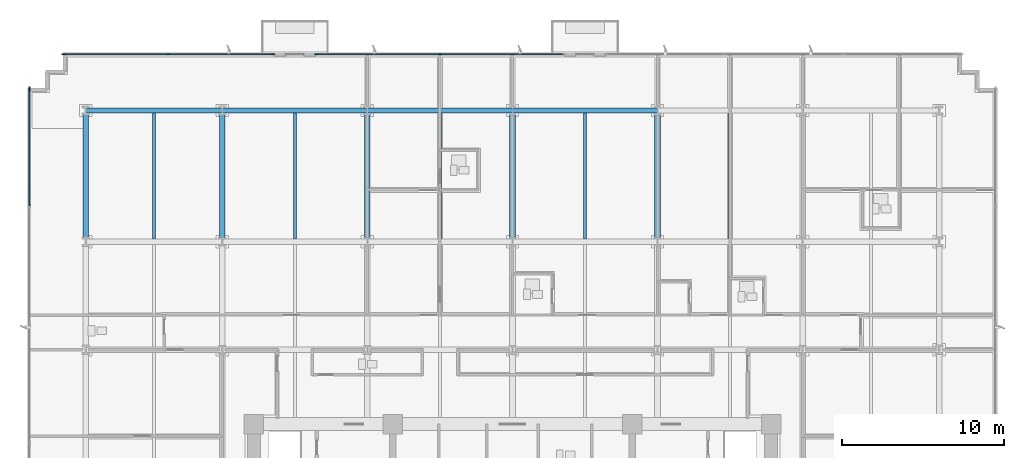
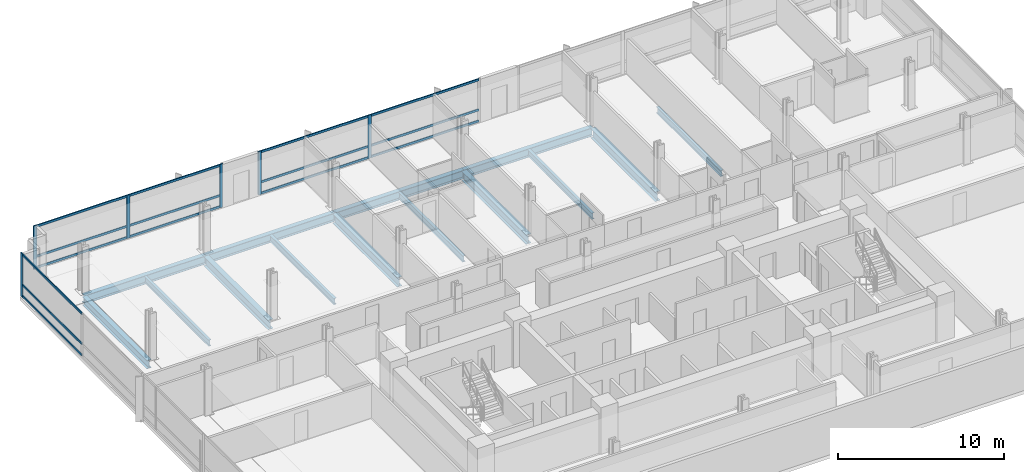
# One storey, part 5 of 17: 21 members, 14 beams, 3 elements without a shape of their own.
"""IFC4 building model written with IfcOpenShell, lengths in metres."""

from ifc_helpers import new_model, si_unit, direction, frame, origin, origin_2d, place, context, subcontext, project, spatial, rectangle, i_section, extrude, material, material_profile, profile_set, type_object, element, aggregate, save


model = new_model("IFC4")

# Units and contexts
model_context = context("Model", 3, precision=1e-05, world=origin(), true_north=direction((0.0, 1.0)))
body_context = subcontext(model_context, "Body", "Model", "MODEL_VIEW")
ifc_project = project(units=[si_unit("LENGTHUNIT", "METRE"), si_unit("AREAUNIT", "SQUARE_METRE"), si_unit("VOLUMEUNIT", "CUBIC_METRE"), si_unit("PLANEANGLEUNIT", "RADIAN"), si_unit("MASSUNIT", "GRAM", prefix="KILO")], contexts=[model_context])

# Site, building, storey
site_placement = place(None, origin())
site = spatial("IfcSite", under=ifc_project, at=site_placement, CompositionType="ELEMENT")
building_placement = place(site_placement, origin())
building = spatial("IfcBuilding", under=site, at=building_placement, Name="Solmavex Isthmus Hotel", CompositionType="ELEMENT")
storey_placement = place(building_placement, frame((0.0, 0.0, 40.199951171875)))
storey = spatial("IfcBuildingStorey", under=building, at=storey_placement, Name="L10", CompositionType="ELEMENT", Elevation=40.199951171875)

# Beams
ifc_material_1 = material(Name="Steel ASTM A992 Grade 50", Category="steel")
ifc_material_profile_1 = material_profile(ifc_material_1, i_section(OverallWidth=0.354736328125, OverallDepth=0.695556640625, WebThickness=0.015380859375, FlangeThickness=0.02490234375, FilletRadius=0.017822265625, at=origin_2d()), Name="W27X146")
ifc_profile_set_1 = profile_set([ifc_material_profile_1], Name="Steel ASTM A992 Grade 50")
beam_type_1 = type_object("IfcBeamType", Name="BM-BG-W27X146", PredefinedType="BEAM", material=ifc_profile_set_1)
for number, where, z_axis, x_axis, name in (
    (1, (-17.951904296875, 8.96533203125, -0.607666015625), (0.0, 1.0, 0.0), (-1.0, 0.0, 0.0), "Floor Beam L10-VG30"),
    (2, (-8.97607421875, 8.96533203125, -0.607666015625), (0.0, 1.0, 0.0), (-1.0, 0.0, 0.0), "Floor Beam L10-VG34"),
    (3, (0.0, 8.96533203125, -0.607666015625), (0.0, 1.0, 0.0), (-1.0, 0.0, 0.0), "Floor Beam L10-VG38"),
    (4, (8.97607421875, 8.96533203125, -0.607666015625), (0.0, 1.0, 0.0), (-1.0, 0.0, 0.0), "Floor Beam L10-VG42"),
):
    element("IfcBeam", number, at=place(storey_placement, frame(where, z_axis=z_axis, x_axis=x_axis)), inside=storey, type_object=beam_type_1, Name=name, PredefinedType="BEAM", context=body_context, shape_type="SweptSolid", body=[
        extrude(i_section(OverallWidth=0.354736328125, OverallDepth=0.695556640625, WebThickness=0.015380859375, FlangeThickness=0.02490234375, FilletRadius=0.017822265625, at=origin_2d()), origin(), (0.0, 0.0, 1.0), 7.771484375),
    ])
ifc_material_profile_2 = material_profile(ifc_material_1, i_section(OverallWidth=0.1904296875, OverallDepth=0.456787109375, WebThickness=0.009033203125, FlangeThickness=0.014404296875, FilletRadius=0.0126953125, at=origin_2d()), Name="W18X50")
ifc_profile_set_2 = profile_set([ifc_material_profile_2], Name="Steel ASTM A992 Grade 50")
beam_type_2 = type_object("IfcBeamType", Name="BM-BJ-W18X50", PredefinedType="JOIST", material=ifc_profile_set_2)
for number, where, z_axis, x_axis, name in (
    (5, (-22.176025390625, 8.96533203125, -0.48828125), (0.0, 1.0, 0.0), (-1.0, 0.0, 0.0), "Secondary Floor Joist L10-J03"),
    (6, (-13.464111328125, 8.96533203125, -0.48828125), (0.0, 1.0, 0.0), (-1.0, 0.0, 0.0), "Secondary Floor Joist L10-J07"),
    (7, (-4.488037109375, 8.96533203125, -0.48828125), (0.0, 1.0, 0.0), (-1.0, 0.0, 0.0), "Secondary Floor Joist L10-J11"),
    (8, (4.488037109375, 8.96533203125, -0.48828125), (0.0, 1.0, 0.0), (-1.0, 0.0, 0.0), "Secondary Floor Joist L10-J15"),
    (9, (13.464111328125, 8.96533203125, -0.48828125), (0.0, 1.0, 0.0), (-1.0, 0.0, 0.0), "Secondary Floor Joist L10-J19"),
):
    element("IfcBeam", number, at=place(storey_placement, frame(where, z_axis=z_axis, x_axis=x_axis)), inside=storey, type_object=beam_type_2, Name=name, PredefinedType="JOIST", context=body_context, shape_type="SweptSolid", body=[
        extrude(i_section(OverallWidth=0.1904296875, OverallDepth=0.456787109375, WebThickness=0.009033203125, FlangeThickness=0.014404296875, FilletRadius=0.0126953125, at=origin_2d()), origin(), (0.0, 0.0, 1.0), 7.771484375),
    ])
ifc_material_profile_3 = material_profile(ifc_material_1, i_section(OverallWidth=0.326416015625, OverallDepth=0.621826171875, WebThickness=0.015380859375, FlangeThickness=0.0244140625, FilletRadius=0.01513671875, at=origin_2d()), Name="W24X131")
ifc_profile_set_3 = profile_set([ifc_material_profile_3], Name="Steel ASTM A992 Grade 50")
beam_type_3 = type_object("IfcBeamType", Name="BM-SP-W24X131", PredefinedType="SPANDREL", material=ifc_profile_set_3)
beam_1_placement = place(storey_placement, frame((-26.39990234375, 16.89990234375, -0.57080078125), z_axis=(1.0, 0.0, 0.0), x_axis=(0.0, 1.0, 0.0)))
element("IfcBeam", 10, at=beam_1_placement, inside=storey, type_object=beam_type_3, Name="Floor Girder L10-UG19", PredefinedType="SPANDREL", context=body_context, shape_type="SweptSolid", body=[
    extrude(i_section(OverallWidth=0.326416015625, OverallDepth=0.621826171875, WebThickness=0.015380859375, FlangeThickness=0.0244140625, FilletRadius=0.01513671875, at=origin_2d()), origin(), (0.0, 0.0, 1.0), 8.447998046875),
])
beam_2_placement = place(storey_placement, frame((-17.951904296875, 16.89990234375, -0.57080078125), z_axis=(1.0, 0.0, 0.0), x_axis=(0.0, 1.0, 0.0)))
element("IfcBeam", 11, at=beam_2_placement, inside=storey, type_object=beam_type_3, Name="Floor Girder L10-UG20", PredefinedType="SPANDREL", context=body_context, shape_type="SweptSolid", body=[
    extrude(i_section(OverallWidth=0.326416015625, OverallDepth=0.621826171875, WebThickness=0.015380859375, FlangeThickness=0.0244140625, FilletRadius=0.01513671875, at=origin_2d()), origin(), (0.0, 0.0, 1.0), 8.975830078125),
])
for number, where, z_axis, x_axis, name in (
    (12, (-8.97607421875, 16.89990234375, -0.57080078125), (1.0, 0.0, 0.0), (0.0, 1.0, 0.0), "Floor Girder L10-UG21"),
    (13, (0.0, 16.89990234375, -0.57080078125), (1.0, 0.0, 0.0), (0.0, 1.0, 0.0), "Floor Girder L10-UG22"),
):
    element("IfcBeam", number, at=place(storey_placement, frame(where, z_axis=z_axis, x_axis=x_axis)), inside=storey, type_object=beam_type_3, Name=name, PredefinedType="SPANDREL", context=body_context, shape_type="SweptSolid", body=[
        extrude(i_section(OverallWidth=0.326416015625, OverallDepth=0.621826171875, WebThickness=0.015380859375, FlangeThickness=0.0244140625, FilletRadius=0.01513671875, at=origin_2d()), origin(), (0.0, 0.0, 1.0), 8.97607421875),
    ])
beam_3_placement = place(storey_placement, frame((-26.39990234375, 8.96533203125, -0.57080078125), z_axis=(0.0, 1.0, 0.0), x_axis=(-1.0, 0.0, 0.0)))
element("IfcBeam", 14, at=beam_3_placement, inside=storey, type_object=beam_type_3, Name="Floor Beam L10-VG27", PredefinedType="SPANDREL", context=body_context, shape_type="SweptSolid", body=[
    extrude(i_section(OverallWidth=0.326416015625, OverallDepth=0.621826171875, WebThickness=0.015380859375, FlangeThickness=0.0244140625, FilletRadius=0.01513671875, at=origin_2d()), origin(), (0.0, 0.0, 1.0), 7.771484375),
])

# Curtain wall, members
ifc_material_2 = material(Name="Aluminium alloy 6063-T6", Category="aluminium")
curtain_wall_type = type_object("IfcCurtainWallType", Name="CW-SYS-02", PredefinedType="NOTDEFINED", material=ifc_material_2)
curtain_wall_1_placement = place(storey_placement, origin())
curtain_wall_1 = element("IfcCurtainWall", 15, at=curtain_wall_1_placement, inside=storey, type_object=curtain_wall_type, Name="Stick Curtain Wall CWL-L10-N1", PredefinedType="NOTDEFINED")
ifc_material_profile_4 = material_profile(ifc_material_2, rectangle(XDim=0.074951171875, YDim=0.219970703125, at=origin_2d()), Name="CWM-75X220")
ifc_profile_set_4 = profile_set([ifc_material_profile_4], Name="Aluminium alloy 6063-T6")
member_type_1 = type_object("IfcMemberType", Name="CW-SYS-02-MUL", PredefinedType="MULLION", material=ifc_profile_set_4)
member_1_placement = place(storey_placement, frame((-27.762451171875, 20.3798828125, 0.0), z_axis=(0.0, 0.0, 1.0), x_axis=(0.0, 1.0, 0.0)))
member_1 = element("IfcMember", 16, at=member_1_placement, type_object=member_type_1, Name="CW-02 mullion 1", PredefinedType="MULLION", context=body_context, shape_type="SweptSolid", body=[
    extrude(rectangle(XDim=0.074951171875, YDim=0.219970703125, at=origin_2d()), origin(), (0.0, 0.0, 1.0), 3.18994140625),
])
member_2_placement = place(storey_placement, frame((-21.281982421875, 20.3798828125, 0.0), z_axis=(0.0, 0.0, 1.0), x_axis=(0.0, 1.0, 0.0)))
member_2 = element("IfcMember", 17, at=member_2_placement, type_object=member_type_1, Name="CW-02 mullion 2", PredefinedType="MULLION", context=body_context, shape_type="SweptSolid", body=[
    extrude(rectangle(XDim=0.074951171875, YDim=0.219970703125, at=origin_2d()), origin(), (0.0, 0.0, 1.0), 3.18994140625),
])
member_3_placement = place(storey_placement, frame((-14.801513671875, 20.3798828125, 0.0), z_axis=(0.0, 0.0, 1.0), x_axis=(0.0, 1.0, 0.0)))
member_3 = element("IfcMember", 18, at=member_3_placement, type_object=member_type_1, Name="CW-02 mullion 3", PredefinedType="MULLION", context=body_context, shape_type="SweptSolid", body=[
    extrude(rectangle(XDim=0.074951171875, YDim=0.219970703125, at=origin_2d()), origin(), (0.0, 0.0, 1.0), 3.18994140625),
])

curtain_wall_2_placement = place(storey_placement, origin())
curtain_wall_2 = element("IfcCurtainWall", 19, at=curtain_wall_2_placement, inside=storey, type_object=curtain_wall_type, Name="Stick Curtain Wall CWL-L10-N2", PredefinedType="NOTDEFINED")
member_4_placement = place(storey_placement, frame((-12.12646484375, 20.3798828125, 0.0), z_axis=(0.0, 0.0, 1.0), x_axis=(0.0, 1.0, 0.0)))
member_4 = element("IfcMember", 20, at=member_4_placement, type_object=member_type_1, Name="CW-02 mullion 1", PredefinedType="MULLION", context=body_context, shape_type="SweptSolid", body=[
    extrude(rectangle(XDim=0.074951171875, YDim=0.219970703125, at=origin_2d()), origin(), (0.0, 0.0, 1.0), 3.18994140625),
])
member_5_placement = place(storey_placement, frame((-4.488037109375, 20.3798828125, 0.0), z_axis=(0.0, 0.0, 1.0), x_axis=(0.0, 1.0, 0.0)))
member_5 = element("IfcMember", 21, at=member_5_placement, type_object=member_type_1, Name="CW-02 mullion 2", PredefinedType="MULLION", context=body_context, shape_type="SweptSolid", body=[
    extrude(rectangle(XDim=0.074951171875, YDim=0.219970703125, at=origin_2d()), origin(), (0.0, 0.0, 1.0), 3.18994140625),
])

# Curtain wall, member
curtain_wall_3_placement = place(storey_placement, origin())
curtain_wall_3 = element("IfcCurtainWall", 22, at=curtain_wall_3_placement, inside=storey, type_object=curtain_wall_type, Name="Stick Curtain Wall CWL-L10-W1", PredefinedType="NOTDEFINED")
member_6_placement = place(storey_placement, frame((-29.8798828125, 18.262451171875, 0.0), z_axis=(0.0, 0.0, 1.0), x_axis=(-1.0, 0.0, 0.0)))
member_6 = element("IfcMember", 23, at=member_6_placement, type_object=member_type_1, Name="CW-02 mullion 6", PredefinedType="MULLION", context=body_context, shape_type="SweptSolid", body=[
    extrude(rectangle(XDim=0.074951171875, YDim=0.219970703125, at=origin_2d()), origin(), (0.0, 0.0, 1.0), 3.18994140625),
])

# Member
ifc_material_profile_5 = material_profile(ifc_material_2, rectangle(XDim=0.074951171875, YDim=0.159912109375, at=origin_2d()), Name="CWT-75X160")
ifc_profile_set_5 = profile_set([ifc_material_profile_5], Name="Aluminium alloy 6063-T6")
member_type_2 = type_object("IfcMemberType", Name="CW-SYS-02-TRN", PredefinedType="USERDEFINED", material=ifc_profile_set_5)
member_7_placement = place(storey_placement, frame((-27.72509765625, 20.3798828125, 0.080078125), z_axis=(1.0, 0.0, 0.0), x_axis=(0.0, 1.0, 0.0)))
member_7 = element("IfcMember", 24, at=member_7_placement, type_object=member_type_2, Name="CW-02 transom 1.1", ObjectType="TRANSOM", PredefinedType="USERDEFINED", context=body_context, shape_type="SweptSolid", body=[
    extrude(rectangle(XDim=0.074951171875, YDim=0.159912109375, at=origin_2d()), origin(), (0.0, 0.0, 1.0), 6.405517578125),
])

member_8_placement = place(storey_placement, frame((-27.72509765625, 20.3798828125, 0.900146484375), z_axis=(1.0, 0.0, 0.0), x_axis=(0.0, 1.0, 0.0)))
member_8 = element("IfcMember", 25, at=member_8_placement, type_object=member_type_2, Name="CW-02 transom 1.2", ObjectType="TRANSOM", PredefinedType="USERDEFINED", context=body_context, shape_type="SweptSolid", body=[
    extrude(rectangle(XDim=0.074951171875, YDim=0.159912109375, at=origin_2d()), origin(), (0.0, 0.0, 1.0), 6.405517578125),
])

member_9_placement = place(storey_placement, frame((-27.72509765625, 20.3798828125, 3.110107421875), z_axis=(1.0, 0.0, 0.0), x_axis=(0.0, 1.0, 0.0)))
member_9 = element("IfcMember", 26, at=member_9_placement, type_object=member_type_2, Name="CW-02 transom 1.3", ObjectType="TRANSOM", PredefinedType="USERDEFINED", context=body_context, shape_type="SweptSolid", body=[
    extrude(rectangle(XDim=0.074951171875, YDim=0.159912109375, at=origin_2d()), origin(), (0.0, 0.0, 1.0), 6.405517578125),
])

member_10_placement = place(storey_placement, frame((-21.244384765625, 20.3798828125, 0.080078125), z_axis=(1.0, 0.0, 0.0), x_axis=(0.0, 1.0, 0.0)))
member_10 = element("IfcMember", 27, at=member_10_placement, type_object=member_type_2, Name="CW-02 transom 2.1", ObjectType="TRANSOM", PredefinedType="USERDEFINED", context=body_context, shape_type="SweptSolid", body=[
    extrude(rectangle(XDim=0.074951171875, YDim=0.159912109375, at=origin_2d()), origin(), (0.0, 0.0, 1.0), 6.4052734375),
])

member_11_placement = place(storey_placement, frame((-21.244384765625, 20.3798828125, 0.900146484375), z_axis=(1.0, 0.0, 0.0), x_axis=(0.0, 1.0, 0.0)))
member_11 = element("IfcMember", 28, at=member_11_placement, type_object=member_type_2, Name="CW-02 transom 2.2", ObjectType="TRANSOM", PredefinedType="USERDEFINED", context=body_context, shape_type="SweptSolid", body=[
    extrude(rectangle(XDim=0.074951171875, YDim=0.159912109375, at=origin_2d()), origin(), (0.0, 0.0, 1.0), 6.4052734375),
])

member_12_placement = place(storey_placement, frame((-21.244384765625, 20.3798828125, 3.110107421875), z_axis=(1.0, 0.0, 0.0), x_axis=(0.0, 1.0, 0.0)))
member_12 = element("IfcMember", 29, at=member_12_placement, type_object=member_type_2, Name="CW-02 transom 2.3", ObjectType="TRANSOM", PredefinedType="USERDEFINED", context=body_context, shape_type="SweptSolid", body=[
    extrude(rectangle(XDim=0.074951171875, YDim=0.159912109375, at=origin_2d()), origin(), (0.0, 0.0, 1.0), 6.4052734375),
])

aggregate(curtain_wall_1, [member_1, member_2, member_3, member_7, member_8, member_9, member_10, member_11, member_12])

member_13_placement = place(storey_placement, frame((-12.089111328125, 20.3798828125, 0.080078125), z_axis=(1.0, 0.0, 0.0), x_axis=(0.0, 1.0, 0.0)))
member_13 = element("IfcMember", 30, at=member_13_placement, type_object=member_type_2, Name="CW-02 transom 1.1", ObjectType="TRANSOM", PredefinedType="USERDEFINED", context=body_context, shape_type="SweptSolid", body=[
    extrude(rectangle(XDim=0.074951171875, YDim=0.159912109375, at=origin_2d()), origin(), (0.0, 0.0, 1.0), 7.563720703125),
])

member_14_placement = place(storey_placement, frame((-12.089111328125, 20.3798828125, 0.900146484375), z_axis=(1.0, 0.0, 0.0), x_axis=(0.0, 1.0, 0.0)))
member_14 = element("IfcMember", 31, at=member_14_placement, type_object=member_type_2, Name="CW-02 transom 1.2", ObjectType="TRANSOM", PredefinedType="USERDEFINED", context=body_context, shape_type="SweptSolid", body=[
    extrude(rectangle(XDim=0.074951171875, YDim=0.159912109375, at=origin_2d()), origin(), (0.0, 0.0, 1.0), 7.563720703125),
])

member_15_placement = place(storey_placement, frame((-12.089111328125, 20.3798828125, 3.110107421875), z_axis=(1.0, 0.0, 0.0), x_axis=(0.0, 1.0, 0.0)))
member_15 = element("IfcMember", 32, at=member_15_placement, type_object=member_type_2, Name="CW-02 transom 1.3", ObjectType="TRANSOM", PredefinedType="USERDEFINED", context=body_context, shape_type="SweptSolid", body=[
    extrude(rectangle(XDim=0.074951171875, YDim=0.159912109375, at=origin_2d()), origin(), (0.0, 0.0, 1.0), 7.563720703125),
])

member_16_placement = place(storey_placement, frame((-4.450439453125, 20.3798828125, 0.080078125), z_axis=(1.0, 0.0, 0.0), x_axis=(0.0, 1.0, 0.0)))
member_16 = element("IfcMember", 33, at=member_16_placement, type_object=member_type_2, Name="CW-02 transom 2.1", ObjectType="TRANSOM", PredefinedType="USERDEFINED", context=body_context, shape_type="SweptSolid", body=[
    extrude(rectangle(XDim=0.074951171875, YDim=0.159912109375, at=origin_2d()), origin(), (0.0, 0.0, 1.0), 7.5634765625),
])

member_17_placement = place(storey_placement, frame((-4.450439453125, 20.3798828125, 0.900146484375), z_axis=(1.0, 0.0, 0.0), x_axis=(0.0, 1.0, 0.0)))
member_17 = element("IfcMember", 34, at=member_17_placement, type_object=member_type_2, Name="CW-02 transom 2.2", ObjectType="TRANSOM", PredefinedType="USERDEFINED", context=body_context, shape_type="SweptSolid", body=[
    extrude(rectangle(XDim=0.074951171875, YDim=0.159912109375, at=origin_2d()), origin(), (0.0, 0.0, 1.0), 7.5634765625),
])

member_18_placement = place(storey_placement, frame((-4.450439453125, 20.3798828125, 3.110107421875), z_axis=(1.0, 0.0, 0.0), x_axis=(0.0, 1.0, 0.0)))
member_18 = element("IfcMember", 35, at=member_18_placement, type_object=member_type_2, Name="CW-02 transom 2.3", ObjectType="TRANSOM", PredefinedType="USERDEFINED", context=body_context, shape_type="SweptSolid", body=[
    extrude(rectangle(XDim=0.074951171875, YDim=0.159912109375, at=origin_2d()), origin(), (0.0, 0.0, 1.0), 7.5634765625),
])

aggregate(curtain_wall_2, [member_4, member_5, member_13, member_14, member_15, member_16, member_17, member_18])

member_19_placement = place(storey_placement, frame((-29.8798828125, 11.017578125, 0.080078125), z_axis=(0.0, 1.0, 0.0), x_axis=(-1.0, 0.0, 0.0)))
member_19 = element("IfcMember", 36, at=member_19_placement, type_object=member_type_2, Name="CW-02 transom 5.1", ObjectType="TRANSOM", PredefinedType="USERDEFINED", context=body_context, shape_type="SweptSolid", body=[
    extrude(rectangle(XDim=0.074951171875, YDim=0.159912109375, at=origin_2d()), origin(), (0.0, 0.0, 1.0), 7.20751953125),
])

member_20_placement = place(storey_placement, frame((-29.8798828125, 11.017578125, 0.900146484375), z_axis=(0.0, 1.0, 0.0), x_axis=(-1.0, 0.0, 0.0)))
member_20 = element("IfcMember", 37, at=member_20_placement, type_object=member_type_2, Name="CW-02 transom 5.2", ObjectType="TRANSOM", PredefinedType="USERDEFINED", context=body_context, shape_type="SweptSolid", body=[
    extrude(rectangle(XDim=0.074951171875, YDim=0.159912109375, at=origin_2d()), origin(), (0.0, 0.0, 1.0), 7.20751953125),
])

member_21_placement = place(storey_placement, frame((-29.8798828125, 11.017578125, 3.110107421875), z_axis=(0.0, 1.0, 0.0), x_axis=(-1.0, 0.0, 0.0)))
member_21 = element("IfcMember", 38, at=member_21_placement, type_object=member_type_2, Name="CW-02 transom 5.3", ObjectType="TRANSOM", PredefinedType="USERDEFINED", context=body_context, shape_type="SweptSolid", body=[
    extrude(rectangle(XDim=0.074951171875, YDim=0.159912109375, at=origin_2d()), origin(), (0.0, 0.0, 1.0), 7.20751953125),
])

aggregate(curtain_wall_3, [member_6, member_19, member_20, member_21])

save(model, "model.ifc")
